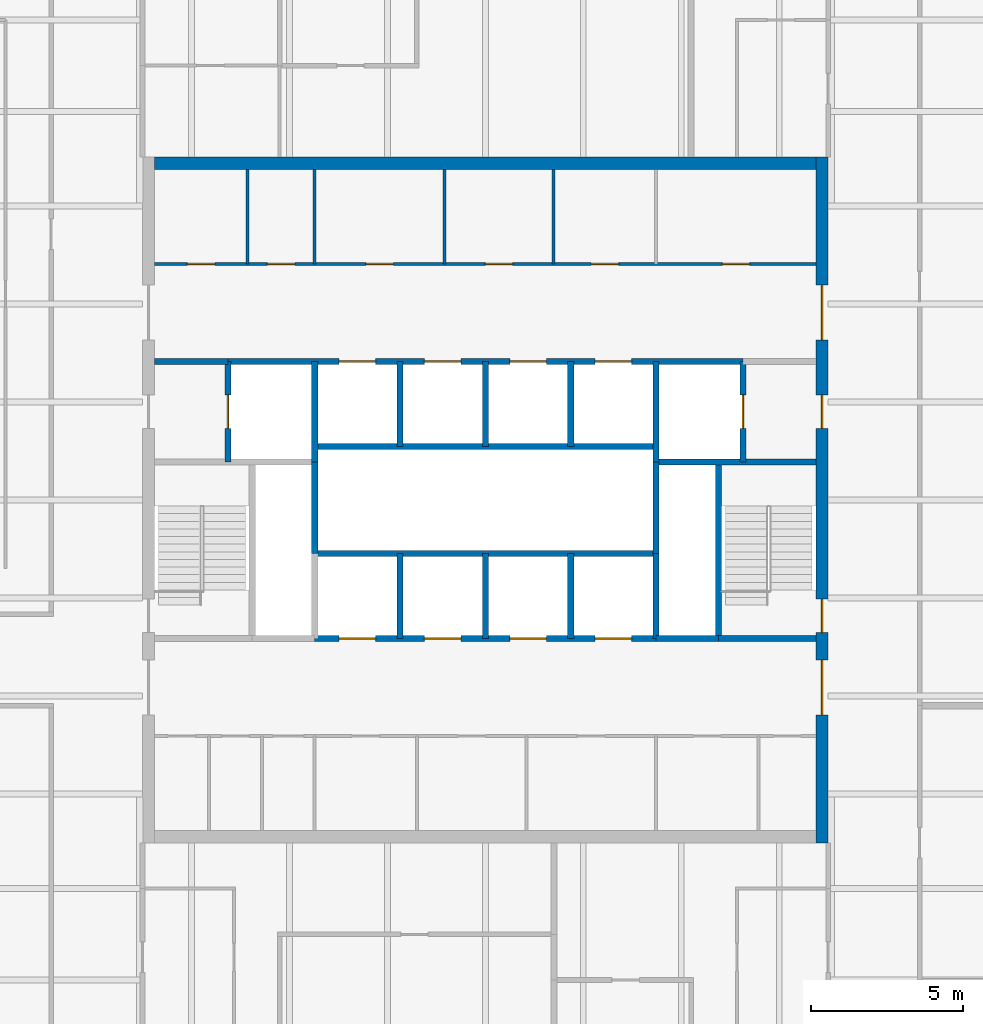
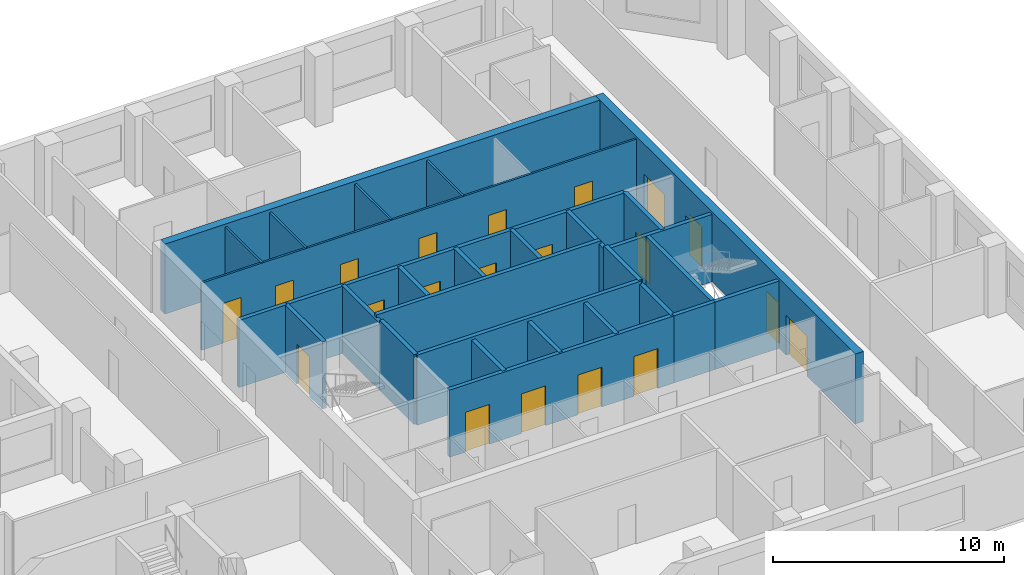
# One storey, part 5 of 8: 29 walls, 20 doors, 20 openings.
"""IFC4 building model written with IfcOpenShell, lengths in metres."""

from ifc_helpers import new_model, si_unit, direction, frame, frame_2d, origin, place, context, subcontext, project, spatial, rectangle, extrude, material, layer, layer_set, type_object, element, fill, save


model = new_model("IFC4")

# Units and contexts
model_context = context("Model", 3, precision=1e-05, world=origin(), true_north=direction((0.0, 1.0)))
body_context = subcontext(model_context, "Body", "Model", "MODEL_VIEW")
ifc_project = project(units=[si_unit("LENGTHUNIT", "METRE"), si_unit("AREAUNIT", "SQUARE_METRE"), si_unit("VOLUMEUNIT", "CUBIC_METRE"), si_unit("PLANEANGLEUNIT", "RADIAN"), si_unit("MASSUNIT", "GRAM", prefix="KILO")], contexts=[model_context])

# Site, building, storey
site_placement = place(None, origin())
site = spatial("IfcSite", under=ifc_project, at=site_placement, CompositionType="ELEMENT")
building_placement = place(site_placement, origin())
building = spatial("IfcBuilding", under=site, at=building_placement, Name="Quoin Convention Tower", CompositionType="ELEMENT")
storey_placement = place(building_placement, frame((0.0, 0.0, 211.89990234375)))
storey = spatial("IfcBuildingStorey", under=building, at=storey_placement, Name="L55", CompositionType="ELEMENT", Elevation=211.89990234375)

# Wall, openings, doors
ifc_material_1 = material(Name="Plasterboard")
ifc_layer_1 = layer(ifc_material_1, 0.012451171875, Name="Finish")
ifc_material_2 = material(Name="Steel stud framing", Category="steel")
ifc_layer_2 = layer(ifc_material_2, 0.074951171875, Name="Structure")
ifc_layer_3 = layer(ifc_material_1, 0.012451171875, Name="Finish")
ifc_layer_set_1 = layer_set([ifc_layer_1, ifc_layer_2, ifc_layer_3], Name="Steel stud framing")
wall_type_1 = type_object("IfcWallType", Name="Core partition wall", PredefinedType="PARTITIONING", material=ifc_layer_set_1)
wall_1_placement = place(storey_placement, frame((45.39990234375, 68.5, 0.0), z_axis=(0.0, 0.0, 1.0), x_axis=(1.0, 0.0, 0.0)))
wall_1 = element("IfcWall", 1, at=wall_1_placement, inside=storey, type_object=wall_type_1, Name="cr-C1-L55-h19000_400", PredefinedType="PARTITIONING", context=body_context, shape_type="SweptSolid", body=[
    extrude(rectangle(XDim=21.7001953125, YDim=0.10009765625, at=frame_2d((10.85009765625, 0.0))), origin(), (0.0, 0.0, 1.0), 3.550048828125),
])
opening_1_placement = place(wall_1_placement, frame((18.625, 0.0, 0.0)))
opening_1 = element("IfcOpeningElement", 2, at=opening_1_placement, cuts=wall_1, Name="Opening DCV1-12", PredefinedType="OPENING", context=body_context, shape_type="SweptSolid", body=[
    extrude(rectangle(XDim=0.89990234375, YDim=2.10009765625, at=frame_2d((0.449951171875, 1.050048828125))), frame((0.0, 0.06005859375, 0.0), z_axis=(0.0, -1.0, 0.0), x_axis=(1.0, 0.0, 0.0)), (0.0, 0.0, 1.0), 0.1201171875),
])
opening_2_placement = place(wall_1_placement, frame((1.072509765625, 0.0, 0.0)))
opening_2 = element("IfcOpeningElement", 3, at=opening_2_placement, cuts=wall_1, Name="Opening DCV1-05", PredefinedType="OPENING", context=body_context, shape_type="SweptSolid", body=[
    extrude(rectangle(XDim=0.89990234375, YDim=2.10009765625, at=frame_2d((0.449951171875, 1.050048828125))), frame((0.0, 0.06005859375, 0.0), z_axis=(0.0, -1.0, 0.0), x_axis=(1.0, 0.0, 0.0)), (0.0, 0.0, 1.0), 0.1201171875),
])
opening_3_placement = place(wall_1_placement, frame((3.697509765625, 0.0, 0.0)))
opening_3 = element("IfcOpeningElement", 4, at=opening_3_placement, cuts=wall_1, Name="Opening DCV1-06", PredefinedType="OPENING", context=body_context, shape_type="SweptSolid", body=[
    extrude(rectangle(XDim=0.89990234375, YDim=2.10009765625, at=frame_2d((0.449951171875, 1.050048828125))), frame((0.0, 0.06005859375, 0.0), z_axis=(0.0, -1.0, 0.0), x_axis=(1.0, 0.0, 0.0)), (0.0, 0.0, 1.0), 0.1201171875),
])
opening_4_placement = place(wall_1_placement, frame((14.320068359375, 0.0, 0.0)))
opening_4 = element("IfcOpeningElement", 5, at=opening_4_placement, cuts=wall_1, Name="Opening DCV1-11", PredefinedType="OPENING", context=body_context, shape_type="SweptSolid", body=[
    extrude(rectangle(XDim=0.89990234375, YDim=2.10009765625, at=frame_2d((0.449951171875, 1.050048828125))), frame((0.0, 0.06005859375, 0.0), z_axis=(0.0, -1.0, 0.0), x_axis=(1.0, 0.0, 0.0)), (0.0, 0.0, 1.0), 0.1201171875),
])
opening_5_placement = place(wall_1_placement, frame((10.847900390625, 0.0, 0.0)))
opening_5 = element("IfcOpeningElement", 6, at=opening_5_placement, cuts=wall_1, Name="Opening DCV1-09", PredefinedType="OPENING", context=body_context, shape_type="SweptSolid", body=[
    extrude(rectangle(XDim=0.89990234375, YDim=2.10009765625, at=frame_2d((0.449951171875, 1.050048828125))), frame((0.0, 0.06005859375, 0.0), z_axis=(0.0, -1.0, 0.0), x_axis=(1.0, 0.0, 0.0)), (0.0, 0.0, 1.0), 0.1201171875),
])
opening_6_placement = place(wall_1_placement, frame((6.927978515625, 0.0, 0.0)))
opening_6 = element("IfcOpeningElement", 7, at=opening_6_placement, cuts=wall_1, Name="Opening DCV1-07", PredefinedType="OPENING", context=body_context, shape_type="SweptSolid", body=[
    extrude(rectangle(XDim=0.89990234375, YDim=2.10009765625, at=frame_2d((0.449951171875, 1.050048828125))), frame((0.0, 0.06005859375, 0.0), z_axis=(0.0, -1.0, 0.0), x_axis=(1.0, 0.0, 0.0)), (0.0, 0.0, 1.0), 0.1201171875),
])
ifc_material_3 = material(Name="Steel door leaf", Category="steel")
door_type_1 = type_object("IfcDoorType", Name="Core room door 900 x 2100", OperationType="SINGLE_SWING_LEFT", PredefinedType="DOOR", material=ifc_material_3)
door_1_placement = place(opening_1_placement, origin())
door_1 = element("IfcDoor", 8, at=door_1_placement, inside=storey, type_object=door_type_1, Name="cd-C1-L55-CNE0-lobB-CD5507", OperationType="SINGLE_SWING_LEFT", OverallHeight=2.10009765625, OverallWidth=0.89990234375, PredefinedType="DOOR", context=body_context, shape_type="SweptSolid", body=[
    extrude(rectangle(XDim=0.89990234375, YDim=2.10009765625, at=frame_2d((0.449951171875, 1.050048828125))), frame((0.0, 0.02490234375, 0.0), z_axis=(0.0, -1.0, 0.0), x_axis=(1.0, 0.0, 0.0)), (0.0, 0.0, 1.0), 0.050048828125),
])
fill(opening_1, door_1)
door_2_placement = place(opening_2_placement, origin())
door_2 = element("IfcDoor", 9, at=door_2_placement, inside=storey, type_object=door_type_1, Name="cd-C1-L55-CNW0-lobB-CD5508", OperationType="SINGLE_SWING_RIGHT", OverallHeight=2.10009765625, OverallWidth=0.89990234375, PredefinedType="DOOR", context=body_context, shape_type="SweptSolid", body=[
    extrude(rectangle(XDim=0.89990234375, YDim=2.10009765625, at=frame_2d((0.449951171875, 1.050048828125))), frame((0.0, 0.02490234375, 0.0), z_axis=(0.0, -1.0, 0.0), x_axis=(1.0, 0.0, 0.0)), (0.0, 0.0, 1.0), 0.050048828125),
])
fill(opening_2, door_2)
door_3_placement = place(opening_3_placement, origin())
door_3 = element("IfcDoor", 10, at=door_3_placement, inside=storey, type_object=door_type_1, Name="cd-C1-L55-CNW1-lobB-CD5509", OperationType="SINGLE_SWING_RIGHT", OverallHeight=2.10009765625, OverallWidth=0.89990234375, PredefinedType="DOOR", context=body_context, shape_type="SweptSolid", body=[
    extrude(rectangle(XDim=0.89990234375, YDim=2.10009765625, at=frame_2d((0.449951171875, 1.050048828125))), frame((0.0, 0.02490234375, 0.0), z_axis=(0.0, -1.0, 0.0), x_axis=(1.0, 0.0, 0.0)), (0.0, 0.0, 1.0), 0.050048828125),
])
fill(opening_3, door_3)
door_4_placement = place(opening_4_placement, origin())
door_4 = element("IfcDoor", 11, at=door_4_placement, inside=storey, type_object=door_type_1, Name="cd-C1-L55-F40-lobB-CD5518", OperationType="SINGLE_SWING_RIGHT", OverallHeight=2.10009765625, OverallWidth=0.89990234375, PredefinedType="DOOR", context=body_context, shape_type="SweptSolid", body=[
    extrude(rectangle(XDim=0.89990234375, YDim=2.10009765625, at=frame_2d((0.449951171875, 1.050048828125))), frame((0.0, 0.02490234375, 0.0), z_axis=(0.0, -1.0, 0.0), x_axis=(1.0, 0.0, 0.0)), (0.0, 0.0, 1.0), 0.050048828125),
])
fill(opening_4, door_4)
door_5_placement = place(opening_5_placement, origin())
door_5 = element("IfcDoor", 12, at=door_5_placement, inside=storey, type_object=door_type_1, Name="cd-C1-L55-F41-lobB-CD5519", OperationType="SINGLE_SWING_RIGHT", OverallHeight=2.10009765625, OverallWidth=0.89990234375, PredefinedType="DOOR", context=body_context, shape_type="SweptSolid", body=[
    extrude(rectangle(XDim=0.89990234375, YDim=2.10009765625, at=frame_2d((0.449951171875, 1.050048828125))), frame((0.0, 0.02490234375, 0.0), z_axis=(0.0, -1.0, 0.0), x_axis=(1.0, 0.0, 0.0)), (0.0, 0.0, 1.0), 0.050048828125),
])
fill(opening_5, door_5)
door_6_placement = place(opening_6_placement, origin())
door_6 = element("IfcDoor", 13, at=door_6_placement, inside=storey, type_object=door_type_1, Name="cd-C1-L55-F42-lobB-CD5520", OperationType="SINGLE_SWING_RIGHT", OverallHeight=2.10009765625, OverallWidth=0.89990234375, PredefinedType="DOOR", context=body_context, shape_type="SweptSolid", body=[
    extrude(rectangle(XDim=0.89990234375, YDim=2.10009765625, at=frame_2d((0.449951171875, 1.050048828125))), frame((0.0, 0.02490234375, 0.0), z_axis=(0.0, -1.0, 0.0), x_axis=(1.0, 0.0, 0.0)), (0.0, 0.0, 1.0), 0.050048828125),
])
fill(opening_6, door_6)

# Walls
for number, where, z_axis, x_axis, name in (
    (14, (48.445068359375, 68.5, 0.0), (0.0, 0.0, 1.0), (0.0, 1.0, 0.0), "cr-C1-L55-v3445_19000"),
    (15, (50.64990234375, 68.5, 0.0), (0.0, 0.0, 1.0), (0.0, 1.0, 0.0), "cr-C1-L55-v5650_19000"),
    (16, (54.906005859375, 68.5, 0.0), (0.0, 0.0, 1.0), (0.0, 1.0, 0.0), "cr-C1-L55-v9906_19000"),
    (17, (58.489990234375, 68.5, 0.0), (0.0, 0.0, 1.0), (0.0, 1.0, 0.0), "cr-C1-L55-v13490_19000"),
):
    element("IfcWall", number, at=place(storey_placement, frame(where, z_axis=z_axis, x_axis=x_axis)), inside=storey, type_object=wall_type_1, Name=name, PredefinedType="PARTITIONING", context=body_context, shape_type="SweptSolid", body=[
        extrude(rectangle(XDim=3.10009765625, YDim=0.10009765625, at=frame_2d((1.550048828125, 0.0))), origin(), (0.0, 0.0, 1.0), 3.550048828125),
    ])
ifc_material_4 = material(Name="Concrete C50", Category="concrete")
ifc_layer_4 = layer(ifc_material_4, 0.199951171875)
ifc_layer_set_2 = layer_set([ifc_layer_4], Name="Concrete C50")
wall_type_2 = type_object("IfcWallType", Name="Core shaft wall", PredefinedType="SOLIDWALL", material=ifc_layer_set_2)
wall_2_placement = place(storey_placement, frame((61.85009765625, 56.199951171875, 0.0), z_axis=(0.0, 0.0, 1.0), x_axis=(1.0, 0.0, 0.0)))
element("IfcWall", 18, at=wall_2_placement, inside=storey, type_object=wall_type_2, Name="cr-C1-L55-h6700_16850", PredefinedType="SOLIDWALL", context=body_context, shape_type="SweptSolid", body=[
    extrude(rectangle(XDim=2.0498046875, YDim=0.199951171875, at=frame_2d((1.02490234375, 0.0))), origin(), (0.0, 0.0, 1.0), 3.550048828125),
])

# Wall, openings, doors
wall_3_placement = place(storey_placement, frame((50.64990234375, 56.199951171875, 0.0), z_axis=(0.0, 0.0, 1.0), x_axis=(1.0, 0.0, 0.0)))
wall_3 = element("IfcWall", 19, at=wall_3_placement, inside=storey, type_object=wall_type_2, Name="cr-C1-L55-h6700_5650", PredefinedType="SOLIDWALL", context=body_context, shape_type="SweptSolid", body=[
    extrude(rectangle(XDim=11.2001953125, YDim=0.199951171875, at=frame_2d((5.60009765625, 0.0))), origin(), (0.0, 0.0, 1.0), 3.550048828125),
])
opening_7_placement = place(wall_3_placement, frame((0.800048828125, 0.0, 0.0)))
opening_7 = element("IfcOpeningElement", 20, at=opening_7_placement, cuts=wall_3, Name="Opening LDH1", PredefinedType="OPENING", context=body_context, shape_type="SweptSolid", body=[
    extrude(rectangle(XDim=1.199951171875, YDim=2.10009765625, at=frame_2d((0.60009765625, 1.050048828125))), frame((0.0, 0.10986328125, 0.0), z_axis=(0.0, -1.0, 0.0), x_axis=(1.0, 0.0, 0.0)), (0.0, 0.0, 1.0), 0.219970703125),
])
opening_8_placement = place(wall_3_placement, frame((3.60009765625, 0.0, 0.0)))
opening_8 = element("IfcOpeningElement", 21, at=opening_8_placement, cuts=wall_3, Name="Opening LDH2", PredefinedType="OPENING", context=body_context, shape_type="SweptSolid", body=[
    extrude(rectangle(XDim=1.199951171875, YDim=2.10009765625, at=frame_2d((0.60009765625, 1.050048828125))), frame((0.0, 0.10986328125, 0.0), z_axis=(0.0, -1.0, 0.0), x_axis=(1.0, 0.0, 0.0)), (0.0, 0.0, 1.0), 0.219970703125),
])
opening_9_placement = place(wall_3_placement, frame((6.39990234375, 0.0, 0.0)))
opening_9 = element("IfcOpeningElement", 22, at=opening_9_placement, cuts=wall_3, Name="Opening LDH3", PredefinedType="OPENING", context=body_context, shape_type="SweptSolid", body=[
    extrude(rectangle(XDim=1.199951171875, YDim=2.10009765625, at=frame_2d((0.60009765625, 1.050048828125))), frame((0.0, 0.10986328125, 0.0), z_axis=(0.0, -1.0, 0.0), x_axis=(1.0, 0.0, 0.0)), (0.0, 0.0, 1.0), 0.219970703125),
])
opening_10_placement = place(wall_3_placement, frame((9.199951171875, 0.0, 0.0)))
opening_10 = element("IfcOpeningElement", 23, at=opening_10_placement, cuts=wall_3, Name="Opening LDH4", PredefinedType="OPENING", context=body_context, shape_type="SweptSolid", body=[
    extrude(rectangle(XDim=1.199951171875, YDim=2.10009765625, at=frame_2d((0.60009765625, 1.050048828125))), frame((0.0, 0.10986328125, 0.0), z_axis=(0.0, -1.0, 0.0), x_axis=(1.0, 0.0, 0.0)), (0.0, 0.0, 1.0), 0.219970703125),
])
door_type_2 = type_object("IfcDoorType", Name="Lift landing door 1200 x 2100", OperationType="DOUBLE_DOOR_SLIDING", PredefinedType="DOOR", material=ifc_material_3)
door_7_placement = place(opening_7_placement, origin())
door_7 = element("IfcDoor", 24, at=door_7_placement, inside=storey, type_object=door_type_2, Name="cd-C1-L55-R20-lobA-LDH1", OperationType="DOUBLE_DOOR_SLIDING", OverallHeight=2.10009765625, OverallWidth=1.199951171875, PredefinedType="DOOR", context=body_context, shape_type="SweptSolid", body=[
    extrude(rectangle(XDim=1.199951171875, YDim=2.10009765625, at=frame_2d((0.60009765625, 1.050048828125))), frame((0.0, 0.02490234375, 0.0), z_axis=(0.0, -1.0, 0.0), x_axis=(1.0, 0.0, 0.0)), (0.0, 0.0, 1.0), 0.050048828125),
])
fill(opening_7, door_7)
door_8_placement = place(opening_8_placement, origin())
door_8 = element("IfcDoor", 25, at=door_8_placement, inside=storey, type_object=door_type_2, Name="cd-C1-L55-R21-lobA-LDH2", OperationType="DOUBLE_DOOR_SLIDING", OverallHeight=2.10009765625, OverallWidth=1.199951171875, PredefinedType="DOOR", context=body_context, shape_type="SweptSolid", body=[
    extrude(rectangle(XDim=1.199951171875, YDim=2.10009765625, at=frame_2d((0.60009765625, 1.050048828125))), frame((0.0, 0.02490234375, 0.0), z_axis=(0.0, -1.0, 0.0), x_axis=(1.0, 0.0, 0.0)), (0.0, 0.0, 1.0), 0.050048828125),
])
fill(opening_8, door_8)
door_9_placement = place(opening_9_placement, origin())
door_9 = element("IfcDoor", 26, at=door_9_placement, inside=storey, type_object=door_type_2, Name="cd-C1-L55-R22-lobA-LDH3", OperationType="DOUBLE_DOOR_SLIDING", OverallHeight=2.10009765625, OverallWidth=1.199951171875, PredefinedType="DOOR", context=body_context, shape_type="SweptSolid", body=[
    extrude(rectangle(XDim=1.199951171875, YDim=2.10009765625, at=frame_2d((0.60009765625, 1.050048828125))), frame((0.0, 0.02490234375, 0.0), z_axis=(0.0, -1.0, 0.0), x_axis=(1.0, 0.0, 0.0)), (0.0, 0.0, 1.0), 0.050048828125),
])
fill(opening_9, door_9)
door_10_placement = place(opening_10_placement, origin())
door_10 = element("IfcDoor", 27, at=door_10_placement, inside=storey, type_object=door_type_2, Name="cd-C1-L55-R23-lobA-LDH4", OperationType="DOUBLE_DOOR_SLIDING", OverallHeight=2.10009765625, OverallWidth=1.199951171875, PredefinedType="DOOR", context=body_context, shape_type="SweptSolid", body=[
    extrude(rectangle(XDim=1.199951171875, YDim=2.10009765625, at=frame_2d((0.60009765625, 1.050048828125))), frame((0.0, 0.02490234375, 0.0), z_axis=(0.0, -1.0, 0.0), x_axis=(1.0, 0.0, 0.0)), (0.0, 0.0, 1.0), 0.050048828125),
])
fill(opening_10, door_10)

# Walls
wall_4_placement = place(storey_placement, frame((63.89990234375, 56.199951171875, 0.0), z_axis=(0.0, 0.0, 1.0), x_axis=(1.0, 0.0, 0.0)))
element("IfcWall", 28, at=wall_4_placement, inside=storey, type_object=wall_type_2, Name="cr-C1-L55-h6700_18900", PredefinedType="SOLIDWALL", context=body_context, shape_type="SweptSolid", body=[
    extrude(rectangle(XDim=3.2001953125, YDim=0.199951171875, at=frame_2d((1.60009765625, 0.0))), origin(), (0.0, 0.0, 1.0), 3.550048828125),
])
wall_5_placement = place(storey_placement, frame((61.85009765625, 62.0, 0.0), z_axis=(0.0, 0.0, 1.0), x_axis=(1.0, 0.0, 0.0)))
element("IfcWall", 29, at=wall_5_placement, inside=storey, type_object=wall_type_2, Name="cr-C1-L55-h12500_16850", PredefinedType="SOLIDWALL", context=body_context, shape_type="SweptSolid", body=[
    extrude(rectangle(XDim=5.25, YDim=0.199951171875, at=frame_2d((2.625, 0.0))), origin(), (0.0, 0.0, 1.0), 3.550048828125),
])
wall_6_placement = place(storey_placement, frame((45.39990234375, 65.300048828125, 0.0), z_axis=(0.0, 0.0, 1.0), x_axis=(1.0, 0.0, 0.0)))
element("IfcWall", 30, at=wall_6_placement, inside=storey, type_object=wall_type_2, Name="cr-C1-L55-h15800_400", PredefinedType="SOLIDWALL", context=body_context, shape_type="SweptSolid", body=[
    extrude(rectangle(XDim=2.400146484375, YDim=0.199951171875, at=frame_2d((1.2001953125, 0.0))), origin(), (0.0, 0.0, 1.0), 3.550048828125),
])

# Wall, openings, doors
wall_7_placement = place(storey_placement, frame((47.800048828125, 65.300048828125, 0.0), z_axis=(0.0, 0.0, 1.0), x_axis=(1.0, 0.0, 0.0)))
wall_7 = element("IfcWall", 31, at=wall_7_placement, inside=storey, type_object=wall_type_2, Name="cr-C1-L55-h15800_2800", PredefinedType="SOLIDWALL", context=body_context, shape_type="SweptSolid", body=[
    extrude(rectangle(XDim=16.89990234375, YDim=0.199951171875, at=frame_2d((8.449951171875, 0.0))), origin(), (0.0, 0.0, 1.0), 3.550048828125),
])
opening_11_placement = place(wall_7_placement, frame((3.64990234375, 0.0, 0.0)))
opening_11 = element("IfcOpeningElement", 32, at=opening_11_placement, cuts=wall_7, Name="Opening LDH5", PredefinedType="OPENING", context=body_context, shape_type="SweptSolid", body=[
    extrude(rectangle(XDim=1.199951171875, YDim=2.10009765625, at=frame_2d((0.60009765625, 1.050048828125))), frame((0.0, 0.10986328125, 0.0), z_axis=(0.0, -1.0, 0.0), x_axis=(1.0, 0.0, 0.0)), (0.0, 0.0, 1.0), 0.219970703125),
])
opening_12_placement = place(wall_7_placement, frame((6.449951171875, 0.0, 0.0)))
opening_12 = element("IfcOpeningElement", 33, at=opening_12_placement, cuts=wall_7, Name="Opening LDH6", PredefinedType="OPENING", context=body_context, shape_type="SweptSolid", body=[
    extrude(rectangle(XDim=1.199951171875, YDim=2.10009765625, at=frame_2d((0.60009765625, 1.050048828125))), frame((0.0, 0.10986328125, 0.0), z_axis=(0.0, -1.0, 0.0), x_axis=(1.0, 0.0, 0.0)), (0.0, 0.0, 1.0), 0.219970703125),
])
opening_13_placement = place(wall_7_placement, frame((9.25, 0.0, 0.0)))
opening_13 = element("IfcOpeningElement", 34, at=opening_13_placement, cuts=wall_7, Name="Opening LDH7", PredefinedType="OPENING", context=body_context, shape_type="SweptSolid", body=[
    extrude(rectangle(XDim=1.199951171875, YDim=2.10009765625, at=frame_2d((0.60009765625, 1.050048828125))), frame((0.0, 0.10986328125, 0.0), z_axis=(0.0, -1.0, 0.0), x_axis=(1.0, 0.0, 0.0)), (0.0, 0.0, 1.0), 0.219970703125),
])
opening_14_placement = place(wall_7_placement, frame((12.050048828125, 0.0, 0.0)))
opening_14 = element("IfcOpeningElement", 35, at=opening_14_placement, cuts=wall_7, Name="Opening LDH8", PredefinedType="OPENING", context=body_context, shape_type="SweptSolid", body=[
    extrude(rectangle(XDim=1.199951171875, YDim=2.10009765625, at=frame_2d((0.60009765625, 1.050048828125))), frame((0.0, 0.10986328125, 0.0), z_axis=(0.0, -1.0, 0.0), x_axis=(1.0, 0.0, 0.0)), (0.0, 0.0, 1.0), 0.219970703125),
])
door_11_placement = place(opening_11_placement, origin())
door_11 = element("IfcDoor", 36, at=door_11_placement, inside=storey, type_object=door_type_2, Name="cd-C1-L55-R30-lobB-LDH5", OperationType="DOUBLE_DOOR_SLIDING", OverallHeight=2.10009765625, OverallWidth=1.199951171875, PredefinedType="DOOR", context=body_context, shape_type="SweptSolid", body=[
    extrude(rectangle(XDim=1.199951171875, YDim=2.10009765625, at=frame_2d((0.60009765625, 1.050048828125))), frame((0.0, 0.02490234375, 0.0), z_axis=(0.0, -1.0, 0.0), x_axis=(1.0, 0.0, 0.0)), (0.0, 0.0, 1.0), 0.050048828125),
])
fill(opening_11, door_11)
door_12_placement = place(opening_12_placement, origin())
door_12 = element("IfcDoor", 37, at=door_12_placement, inside=storey, type_object=door_type_2, Name="cd-C1-L55-R31-lobB-LDH6", OperationType="DOUBLE_DOOR_SLIDING", OverallHeight=2.10009765625, OverallWidth=1.199951171875, PredefinedType="DOOR", context=body_context, shape_type="SweptSolid", body=[
    extrude(rectangle(XDim=1.199951171875, YDim=2.10009765625, at=frame_2d((0.60009765625, 1.050048828125))), frame((0.0, 0.02490234375, 0.0), z_axis=(0.0, -1.0, 0.0), x_axis=(1.0, 0.0, 0.0)), (0.0, 0.0, 1.0), 0.050048828125),
])
fill(opening_12, door_12)
door_13_placement = place(opening_13_placement, origin())
door_13 = element("IfcDoor", 38, at=door_13_placement, inside=storey, type_object=door_type_2, Name="cd-C1-L55-R32-lobB-LDH7", OperationType="DOUBLE_DOOR_SLIDING", OverallHeight=2.10009765625, OverallWidth=1.199951171875, PredefinedType="DOOR", context=body_context, shape_type="SweptSolid", body=[
    extrude(rectangle(XDim=1.199951171875, YDim=2.10009765625, at=frame_2d((0.60009765625, 1.050048828125))), frame((0.0, 0.02490234375, 0.0), z_axis=(0.0, -1.0, 0.0), x_axis=(1.0, 0.0, 0.0)), (0.0, 0.0, 1.0), 0.050048828125),
])
fill(opening_13, door_13)
door_14_placement = place(opening_14_placement, origin())
door_14 = element("IfcDoor", 39, at=door_14_placement, inside=storey, type_object=door_type_2, Name="cd-C1-L55-R33-lobB-LDH8", OperationType="DOUBLE_DOOR_SLIDING", OverallHeight=2.10009765625, OverallWidth=1.199951171875, PredefinedType="DOOR", context=body_context, shape_type="SweptSolid", body=[
    extrude(rectangle(XDim=1.199951171875, YDim=2.10009765625, at=frame_2d((0.60009765625, 1.050048828125))), frame((0.0, 0.02490234375, 0.0), z_axis=(0.0, -1.0, 0.0), x_axis=(1.0, 0.0, 0.0)), (0.0, 0.0, 1.0), 0.050048828125),
])
fill(opening_14, door_14)

# Wall, opening, door
wall_8_placement = place(storey_placement, frame((47.800048828125, 62.0, 0.0), z_axis=(0.0, 0.0, 1.0), x_axis=(0.0, 1.0, 0.0)))
wall_8 = element("IfcWall", 40, at=wall_8_placement, inside=storey, type_object=wall_type_2, Name="cr-C1-L55-v2800_12500", PredefinedType="SOLIDWALL", context=body_context, shape_type="SweptSolid", body=[
    extrude(rectangle(XDim=3.300048828125, YDim=0.199951171875, at=frame_2d((1.64990234375, 0.0))), origin(), (0.0, 0.0, 1.0), 3.550048828125),
])
opening_15_placement = place(wall_8_placement, frame((1.10009765625, 0.0, 0.0)))
opening_15 = element("IfcOpeningElement", 41, at=opening_15_placement, cuts=wall_8, Name="Opening LDFL1", PredefinedType="OPENING", context=body_context, shape_type="SweptSolid", body=[
    extrude(rectangle(XDim=1.10009765625, YDim=2.10009765625, at=frame_2d((0.550048828125, 1.050048828125))), frame((0.0, 0.10986328125, 0.0), z_axis=(0.0, -1.0, 0.0), x_axis=(1.0, 0.0, 0.0)), (0.0, 0.0, 1.0), 0.219970703125),
])
door_type_3 = type_object("IfcDoorType", Name="Lift landing door 1100 x 2100", OperationType="DOUBLE_DOOR_SLIDING", PredefinedType="DOOR", material=ifc_material_3)
door_15_placement = place(opening_15_placement, origin())
door_15 = element("IfcDoor", 42, at=door_15_placement, inside=storey, type_object=door_type_3, Name="cd-C1-L55-FLW-FFW-LDFL1", OperationType="DOUBLE_DOOR_SLIDING", OverallHeight=2.10009765625, OverallWidth=1.10009765625, PredefinedType="DOOR", context=body_context, shape_type="SweptSolid", body=[
    extrude(rectangle(XDim=1.10009765625, YDim=2.10009765625, at=frame_2d((0.550048828125, 1.050048828125))), frame((0.0, 0.02490234375, 0.0), z_axis=(0.0, -1.0, 0.0), x_axis=(1.0, 0.0, 0.0)), (0.0, 0.0, 1.0), 0.050048828125),
])
fill(opening_15, door_15)

# Walls
wall_9_placement = place(storey_placement, frame((50.64990234375, 62.0, 0.0), z_axis=(0.0, 0.0, 1.0), x_axis=(0.0, 1.0, 0.0)))
element("IfcWall", 43, at=wall_9_placement, inside=storey, type_object=wall_type_2, Name="cr-C1-L55-v5650_12500", PredefinedType="SOLIDWALL", context=body_context, shape_type="SweptSolid", body=[
    extrude(rectangle(XDim=3.300048828125, YDim=0.199951171875, at=frame_2d((1.64990234375, 0.0))), origin(), (0.0, 0.0, 1.0), 3.550048828125),
])
for number, where, z_axis, x_axis, name in (
    (44, (53.449951171875, 56.199951171875, 0.0), (0.0, 0.0, 1.0), (0.0, 1.0, 0.0), "cr-C1-L55-v8450_6700"),
    (45, (53.449951171875, 62.5, 0.0), (0.0, 0.0, 1.0), (0.0, 1.0, 0.0), "cr-C1-L55-v8450_13000"),
    (46, (56.25, 56.199951171875, 0.0), (0.0, 0.0, 1.0), (0.0, 1.0, 0.0), "cr-C1-L55-v11250_6700"),
    (47, (56.25, 62.5, 0.0), (0.0, 0.0, 1.0), (0.0, 1.0, 0.0), "cr-C1-L55-v11250_13000"),
    (48, (59.050048828125, 56.199951171875, 0.0), (0.0, 0.0, 1.0), (0.0, 1.0, 0.0), "cr-C1-L55-v14050_6700"),
    (49, (59.050048828125, 62.5, 0.0), (0.0, 0.0, 1.0), (0.0, 1.0, 0.0), "cr-C1-L55-v14050_13000"),
    (50, (61.85009765625, 56.199951171875, 0.0), (0.0, 0.0, 1.0), (0.0, 1.0, 0.0), "cr-C1-L55-v16850_6700"),
):
    element("IfcWall", number, at=place(storey_placement, frame(where, z_axis=z_axis, x_axis=x_axis)), inside=storey, type_object=wall_type_2, Name=name, PredefinedType="SOLIDWALL", context=body_context, shape_type="SweptSolid", body=[
        extrude(rectangle(XDim=2.800048828125, YDim=0.199951171875, at=frame_2d((1.39990234375, 0.0))), origin(), (0.0, 0.0, 1.0), 3.550048828125),
    ])
wall_10_placement = place(storey_placement, frame((61.85009765625, 62.0, 0.0), z_axis=(0.0, 0.0, 1.0), x_axis=(0.0, 1.0, 0.0)))
element("IfcWall", 51, at=wall_10_placement, inside=storey, type_object=wall_type_2, Name="cr-C1-L55-v16850_12500", PredefinedType="SOLIDWALL", context=body_context, shape_type="SweptSolid", body=[
    extrude(rectangle(XDim=3.300048828125, YDim=0.199951171875, at=frame_2d((1.64990234375, 0.0))), origin(), (0.0, 0.0, 1.0), 3.550048828125),
])
wall_11_placement = place(storey_placement, frame((63.89990234375, 56.199951171875, 0.0), z_axis=(0.0, 0.0, 1.0), x_axis=(0.0, 1.0, 0.0)))
element("IfcWall", 52, at=wall_11_placement, inside=storey, type_object=wall_type_2, Name="cr-C1-L55-v18900_6700", PredefinedType="SOLIDWALL", context=body_context, shape_type="SweptSolid", body=[
    extrude(rectangle(XDim=5.800048828125, YDim=0.199951171875, at=frame_2d((2.89990234375, 0.0))), origin(), (0.0, 0.0, 1.0), 3.550048828125),
])

# Wall, opening, door
wall_12_placement = place(storey_placement, frame((64.699951171875, 62.0, 0.0), z_axis=(0.0, 0.0, 1.0), x_axis=(0.0, 1.0, 0.0)))
wall_12 = element("IfcWall", 53, at=wall_12_placement, inside=storey, type_object=wall_type_2, Name="cr-C1-L55-v19700_12500", PredefinedType="SOLIDWALL", context=body_context, shape_type="SweptSolid", body=[
    extrude(rectangle(XDim=3.300048828125, YDim=0.199951171875, at=frame_2d((1.64990234375, 0.0))), origin(), (0.0, 0.0, 1.0), 3.550048828125),
])
opening_16_placement = place(wall_12_placement, frame((1.10009765625, 0.0, 0.0)))
opening_16 = element("IfcOpeningElement", 54, at=opening_16_placement, cuts=wall_12, Name="Opening LDFL2", PredefinedType="OPENING", context=body_context, shape_type="SweptSolid", body=[
    extrude(rectangle(XDim=1.10009765625, YDim=2.10009765625, at=frame_2d((0.550048828125, 1.050048828125))), frame((0.0, 0.10986328125, 0.0), z_axis=(0.0, -1.0, 0.0), x_axis=(1.0, 0.0, 0.0)), (0.0, 0.0, 1.0), 0.219970703125),
])
door_16_placement = place(opening_16_placement, origin())
door_16 = element("IfcDoor", 55, at=door_16_placement, inside=storey, type_object=door_type_3, Name="cd-C1-L55-FLE-FFE-LDFL2", OperationType="DOUBLE_DOOR_SLIDING", OverallHeight=2.10009765625, OverallWidth=1.10009765625, PredefinedType="DOOR", context=body_context, shape_type="SweptSolid", body=[
    extrude(rectangle(XDim=1.10009765625, YDim=2.10009765625, at=frame_2d((0.550048828125, 1.050048828125))), frame((0.0, 0.02490234375, 0.0), z_axis=(0.0, -1.0, 0.0), x_axis=(1.0, 0.0, 0.0)), (0.0, 0.0, 1.0), 0.050048828125),
])
fill(opening_16, door_16)

# Walls
ifc_layer_5 = layer(ifc_material_4, 0.199951171875)
ifc_layer_set_3 = layer_set([ifc_layer_5], Name="Concrete C50")
wall_type_3 = type_object("IfcWallType", Name="Core shaft wall to the floor level over", PredefinedType="SOLIDWALL", material=ifc_layer_set_3)
for number, where, z_axis, x_axis, name in (
    (56, (50.64990234375, 59.0, 0.0), (0.0, 0.0, 1.0), (1.0, 0.0, 0.0), "cr-C1-L55-h9500_5650"),
    (57, (50.64990234375, 62.5, 0.0), (0.0, 0.0, 1.0), (1.0, 0.0, 0.0), "cr-C1-L55-h13000_5650"),
):
    element("IfcWall", number, at=place(storey_placement, frame(where, z_axis=z_axis, x_axis=x_axis)), inside=storey, type_object=wall_type_3, Name=name, PredefinedType="SOLIDWALL", context=body_context, shape_type="SweptSolid", body=[
        extrude(rectangle(XDim=11.2001953125, YDim=0.199951171875, at=frame_2d((5.60009765625, 0.0))), origin(), (0.0, 0.0, 1.0), 3.7001953125),
    ])
for number, where, z_axis, x_axis, name in (
    (58, (50.64990234375, 59.0, 0.0), (0.0, 0.0, 1.0), (0.0, 1.0, 0.0), "cr-C1-L55-v5650_9500"),
    (59, (61.85009765625, 59.0, 0.0), (0.0, 0.0, 1.0), (0.0, 1.0, 0.0), "cr-C1-L55-v16850_9500"),
):
    element("IfcWall", number, at=place(storey_placement, frame(where, z_axis=z_axis, x_axis=x_axis)), inside=storey, type_object=wall_type_3, Name=name, PredefinedType="SOLIDWALL", context=body_context, shape_type="SweptSolid", body=[
        extrude(rectangle(XDim=3.0, YDim=0.199951171875, at=frame_2d((1.5, 0.0))), origin(), (0.0, 0.0, 1.0), 3.7001953125),
    ])
ifc_layer_6 = layer(ifc_material_4, 0.39990234375)
ifc_layer_set_4 = layer_set([ifc_layer_6], Name="Concrete C50")
wall_type_4 = type_object("IfcWallType", Name="RC CORE WALL 400 C50", PredefinedType="SHEAR", material=ifc_layer_set_4)
wall_13_placement = place(storey_placement, frame((45.39990234375, 71.800048828125, 0.0), z_axis=(0.0, 0.0, 1.0), x_axis=(1.0, 0.0, 0.0)))
element("IfcWall", 60, at=wall_13_placement, inside=storey, type_object=wall_type_4, Name="cwl-C1-L55-N", PredefinedType="SHEAR", context=body_context, shape_type="SweptSolid", body=[
    extrude(rectangle(XDim=21.7001953125, YDim=0.39990234375, at=frame_2d((10.85009765625, 0.0))), origin(), (0.0, 0.0, 1.0), 3.7001953125),
])

# Wall, openings, doors
wall_14_placement = place(storey_placement, frame((67.300048828125, 49.5, 0.0), z_axis=(0.0, 0.0, 1.0), x_axis=(0.0, 1.0, 0.0)))
wall_14 = element("IfcWall", 61, at=wall_14_placement, inside=storey, type_object=wall_type_4, Name="cwl-C1-L55-E", PredefinedType="SHEAR", context=body_context, shape_type="SweptSolid", body=[
    extrude(rectangle(XDim=22.5, YDim=0.39990234375, at=frame_2d((11.25, 0.0))), origin(), (0.0, 0.0, 1.0), 3.7001953125),
])
opening_17_placement = place(wall_14_placement, frame((4.199951171875, 0.0, 0.0)))
opening_17 = element("IfcOpeningElement", 62, at=opening_17_placement, cuts=wall_14, Name="Opening DCV1-47", PredefinedType="OPENING", context=body_context, shape_type="SweptSolid", body=[
    extrude(rectangle(XDim=1.800048828125, YDim=2.10009765625, at=frame_2d((0.89990234375, 1.050048828125))), frame((0.0, 0.2099609375, 0.0), z_axis=(0.0, -1.0, 0.0), x_axis=(1.0, 0.0, 0.0)), (0.0, 0.0, 1.0), 0.419921875),
])
opening_18_placement = place(wall_14_placement, frame((6.89990234375, 0.0, 0.0)))
opening_18 = element("IfcOpeningElement", 63, at=opening_18_placement, cuts=wall_14, Name="Opening SD2", PredefinedType="OPENING", context=body_context, shape_type="SweptSolid", body=[
    extrude(rectangle(XDim=1.10009765625, YDim=2.10009765625, at=frame_2d((0.550048828125, 1.050048828125))), frame((0.0, 0.2099609375, 0.0), z_axis=(0.0, -1.0, 0.0), x_axis=(1.0, 0.0, 0.0)), (0.0, 0.0, 1.0), 0.419921875),
])
opening_19_placement = place(wall_14_placement, frame((13.60009765625, 0.0, 0.0)))
opening_19 = element("IfcOpeningElement", 64, at=opening_19_placement, cuts=wall_14, Name="Opening DCV1-46", PredefinedType="OPENING", context=body_context, shape_type="SweptSolid", body=[
    extrude(rectangle(XDim=1.10009765625, YDim=2.10009765625, at=frame_2d((0.550048828125, 1.050048828125))), frame((0.0, 0.2099609375, 0.0), z_axis=(0.0, -1.0, 0.0), x_axis=(1.0, 0.0, 0.0)), (0.0, 0.0, 1.0), 0.419921875),
])
opening_20_placement = place(wall_14_placement, frame((16.5, 0.0, 0.0)))
opening_20 = element("IfcOpeningElement", 65, at=opening_20_placement, cuts=wall_14, Name="Opening DCV1-47", PredefinedType="OPENING", context=body_context, shape_type="SweptSolid", body=[
    extrude(rectangle(XDim=1.800048828125, YDim=2.10009765625, at=frame_2d((0.89990234375, 1.050048828125))), frame((0.0, 0.2099609375, 0.0), z_axis=(0.0, -1.0, 0.0), x_axis=(1.0, 0.0, 0.0)), (0.0, 0.0, 1.0), 0.419921875),
])
door_type_4 = type_object("IfcDoorType", Name="Fire-fighting lobby door 1100 x 2100", OperationType="SINGLE_SWING_LEFT", PredefinedType="DOOR", material=ifc_material_3)
door_17_placement = place(opening_19_placement, origin())
door_17 = element("IfcDoor", 66, at=door_17_placement, inside=storey, type_object=door_type_4, Name="cd-C1-L55-FFE-E", OperationType="SINGLE_SWING_RIGHT", OverallHeight=2.10009765625, OverallWidth=1.10009765625, PredefinedType="DOOR", context=body_context, shape_type="SweptSolid", body=[
    extrude(rectangle(XDim=1.10009765625, YDim=2.10009765625, at=frame_2d((0.550048828125, 1.050048828125))), frame((0.0, 0.02490234375, 0.0), z_axis=(0.0, -1.0, 0.0), x_axis=(1.0, 0.0, 0.0)), (0.0, 0.0, 1.0), 0.050048828125),
])
fill(opening_19, door_17)
door_type_5 = type_object("IfcDoorType", Name="Lift lobby door 1800 x 2100", OperationType="SINGLE_SWING_LEFT", PredefinedType="DOOR", material=ifc_material_3)
door_18_placement = place(opening_17_placement, origin())
door_18 = element("IfcDoor", 67, at=door_18_placement, inside=storey, type_object=door_type_5, Name="cd-C1-L55-lobA-E", OperationType="SINGLE_SWING_RIGHT", OverallHeight=2.10009765625, OverallWidth=1.800048828125, PredefinedType="DOOR", context=body_context, shape_type="SweptSolid", body=[
    extrude(rectangle(XDim=1.800048828125, YDim=2.10009765625, at=frame_2d((0.89990234375, 1.050048828125))), frame((0.0, 0.02490234375, 0.0), z_axis=(0.0, -1.0, 0.0), x_axis=(1.0, 0.0, 0.0)), (0.0, 0.0, 1.0), 0.050048828125),
])
fill(opening_17, door_18)
door_19_placement = place(opening_20_placement, origin())
door_19 = element("IfcDoor", 68, at=door_19_placement, inside=storey, type_object=door_type_5, Name="cd-C1-L55-lobB-E", OperationType="SINGLE_SWING_RIGHT", OverallHeight=2.10009765625, OverallWidth=1.800048828125, PredefinedType="DOOR", context=body_context, shape_type="SweptSolid", body=[
    extrude(rectangle(XDim=1.800048828125, YDim=2.10009765625, at=frame_2d((0.89990234375, 1.050048828125))), frame((0.0, 0.02490234375, 0.0), z_axis=(0.0, -1.0, 0.0), x_axis=(1.0, 0.0, 0.0)), (0.0, 0.0, 1.0), 0.050048828125),
])
fill(opening_20, door_19)
door_type_6 = type_object("IfcDoorType", Name="Stair door 1100 x 2100", OperationType="SINGLE_SWING_RIGHT", PredefinedType="DOOR", material=ifc_material_3)
door_20_placement = place(opening_18_placement, origin())
door_20 = element("IfcDoor", 69, at=door_20_placement, inside=storey, type_object=door_type_6, Name="cd-C1-L55-STE-E", OperationType="SINGLE_SWING_LEFT", OverallHeight=2.10009765625, OverallWidth=1.10009765625, PredefinedType="DOOR", context=body_context, shape_type="SweptSolid", body=[
    extrude(rectangle(XDim=1.10009765625, YDim=2.10009765625, at=frame_2d((0.550048828125, 1.050048828125))), frame((0.0, 0.02490234375, 0.0), z_axis=(0.0, -1.0, 0.0), x_axis=(1.0, 0.0, 0.0)), (0.0, 0.0, 1.0), 0.050048828125),
])
fill(opening_18, door_20)

save(model, "model.ifc")
